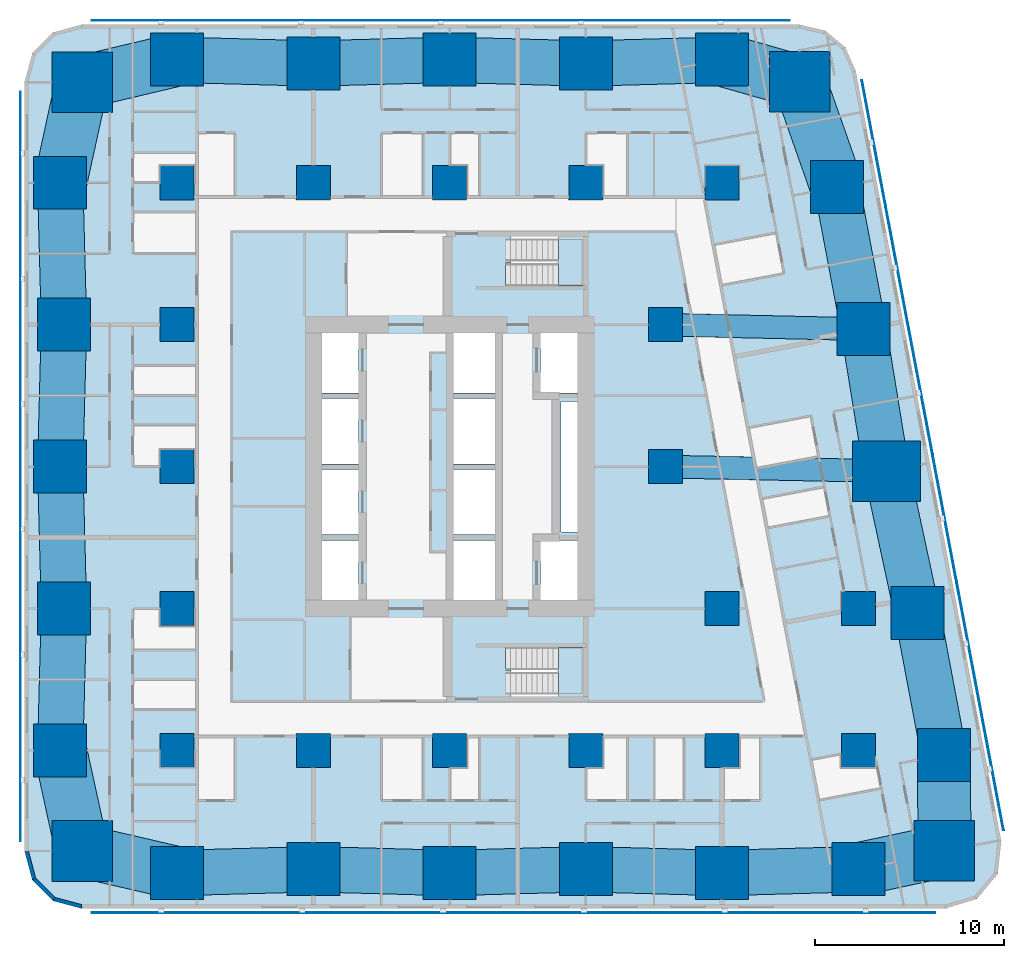
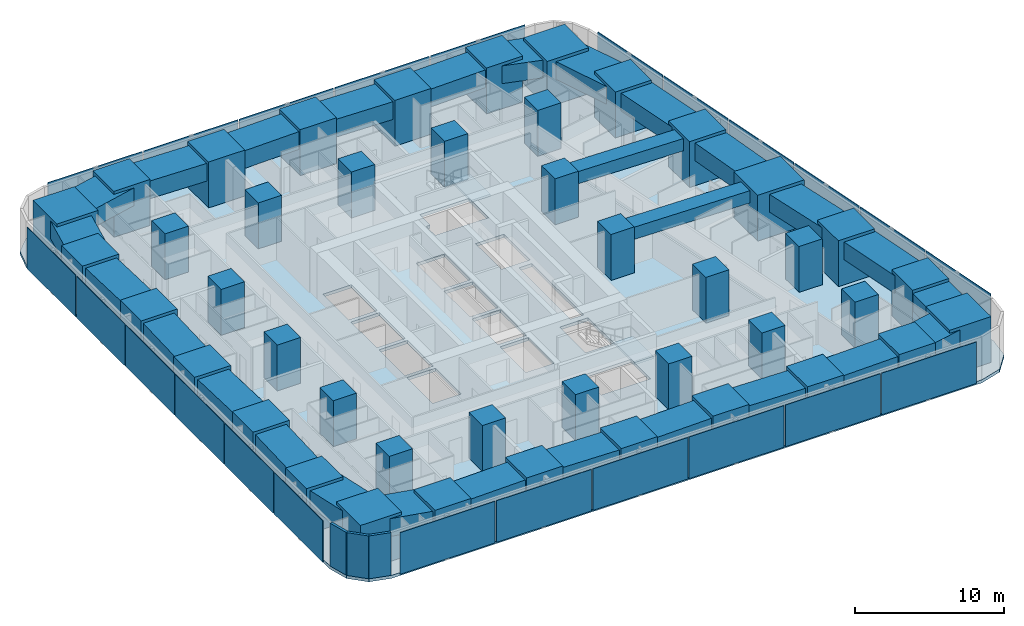
# One storey, part 1 of 18: 43 columns, 27 beams, 23 plates, 3 slabs, 3 walls, 2 elements without a shape of their own.
"""IFC4 building model written with IfcOpenShell, lengths in metres."""

from ifc_helpers import new_model, si_unit, direction, frame, frame_2d, origin, origin_2d, place, context, subcontext, project, spatial, polyline, rectangle, outline, extrude, material, layer, layer_set, material_profile, profile_set, type_object, element, aggregate, save


model = new_model("IFC4")

# Units and contexts
model_context = context("Model", 3, precision=1e-05, world=origin(), true_north=direction((0.0, 1.0)))
body_context = subcontext(model_context, "Body", "Model", "MODEL_VIEW")
ifc_project = project(units=[si_unit("LENGTHUNIT", "METRE"), si_unit("AREAUNIT", "SQUARE_METRE"), si_unit("VOLUMEUNIT", "CUBIC_METRE"), si_unit("PLANEANGLEUNIT", "RADIAN"), si_unit("MASSUNIT", "GRAM", prefix="KILO")], contexts=[model_context])

# Site, building, storey
site_placement = place(None, origin())
site = spatial("IfcSite", under=ifc_project, at=site_placement, CompositionType="ELEMENT")
building_placement = place(site_placement, origin())
building = spatial("IfcBuilding", under=site, at=building_placement, Name="Sheger Commons Tower", CompositionType="ELEMENT")
storey_placement = place(building_placement, frame((0.0, 0.0, 35.0)))
storey = spatial("IfcBuildingStorey", under=building, at=storey_placement, Name="L08", CompositionType="ELEMENT", Elevation=35.0)

# Columns
ifc_material_1 = material(Name="Concrete C50/60", Category="concrete")
ifc_material_profile_1 = material_profile(ifc_material_1, rectangle(XDim=3.60009765625, YDim=3.199951171875, at=origin_2d()), Name="RC 3600x3200")
ifc_profile_set_1 = profile_set([ifc_material_profile_1], Name="Concrete C50/60")
column_type_1 = type_object("IfcColumnType", Name="COLUMN PIER RC 3600x3200", PredefinedType="COLUMN", material=ifc_profile_set_1)
column_placement = place(storey_placement, frame((44.697021484375, 22.262939453125, 0.0), z_axis=(0.0, 0.0, 1.0), x_axis=(1.0, 0.0, 0.0)))
element("IfcColumn", 1, at=column_placement, inside=storey, type_object=column_type_1, Name="Pier 7/D+E/D L08", PredefinedType="COLUMN", context=body_context, shape_type="SweptSolid", body=[
    extrude(rectangle(XDim=3.60009765625, YDim=3.199951171875, at=origin_2d()), origin(), (0.0, 0.0, 1.0), 3.75),
])
ifc_material_2 = material(Name="Concrete C50/60", Category="concrete")
ifc_material_profile_2 = material_profile(ifc_material_2, rectangle(XDim=1.800048828125, YDim=1.800048828125, at=origin_2d()), Name="RC 1800x1800")
ifc_profile_set_2 = profile_set([ifc_material_profile_2], Name="Concrete C50/60")
column_type_2 = type_object("IfcColumnType", Name="COLUMN RC 1800x1800", PredefinedType="COLUMN", material=ifc_profile_set_2)
for number, where, z_axis, x_axis, name in (
    (2, (7.199951171875, 7.5, 0.0), (0.0, 0.0, 1.0), (1.0, 0.0, 0.0), "Column 2/B L08"),
    (3, (14.39990234375, 7.5, 0.0), (0.0, 0.0, 1.0), (1.0, 0.0, 0.0), "Column 3/B L08"),
    (4, (21.60009765625, 7.5, 0.0), (0.0, 0.0, 1.0), (1.0, 0.0, 0.0), "Column 4/B L08"),
    (5, (28.800048828125, 7.5, 0.0), (0.0, 0.0, 1.0), (1.0, 0.0, 0.0), "Column 5/B L08"),
    (6, (36.0, 7.5, 0.0), (0.0, 0.0, 1.0), (1.0, 0.0, 0.0), "Column 6/B L08"),
    (7, (43.199951171875, 7.5, 0.0), (0.0, 0.0, 1.0), (1.0, 0.0, 0.0), "Column 7/B L08"),
    (8, (7.199951171875, 15.0, 0.0), (0.0, 0.0, 1.0), (1.0, 0.0, 0.0), "Column 2/C L08"),
    (9, (36.0, 15.0, 0.0), (0.0, 0.0, 1.0), (1.0, 0.0, 0.0), "Column 6/C L08"),
    (10, (43.199951171875, 15.0, 0.0), (0.0, 0.0, 1.0), (1.0, 0.0, 0.0), "Column 7/C L08"),
    (11, (7.199951171875, 22.5, 0.0), (0.0, 0.0, 1.0), (1.0, 0.0, 0.0), "Column 2/D L08"),
    (12, (33.0, 22.5, 0.0), (0.0, 0.0, 1.0), (1.0, 0.0, 0.0), "Column 6-3000/D L08"),
    (13, (7.199951171875, 30.0, 0.0), (0.0, 0.0, 1.0), (1.0, 0.0, 0.0), "Column 2/E L08"),
    (14, (33.0, 30.0, 0.0), (0.0, 0.0, 1.0), (1.0, 0.0, 0.0), "Column 6-3000/E L08"),
    (15, (7.199951171875, 37.5, 0.0), (0.0, 0.0, 1.0), (1.0, 0.0, 0.0), "Column 2/F L08"),
    (16, (14.39990234375, 37.5, 0.0), (0.0, 0.0, 1.0), (1.0, 0.0, 0.0), "Column 3/F L08"),
    (17, (21.60009765625, 37.5, 0.0), (0.0, 0.0, 1.0), (1.0, 0.0, 0.0), "Column 4/F L08"),
    (18, (28.800048828125, 37.5, 0.0), (0.0, 0.0, 1.0), (1.0, 0.0, 0.0), "Column 5/F L08"),
    (19, (36.0, 37.5, 0.0), (0.0, 0.0, 1.0), (1.0, 0.0, 0.0), "Column 6/F L08"),
):
    element("IfcColumn", number, at=place(storey_placement, frame(where, z_axis=z_axis, x_axis=x_axis)), inside=storey, type_object=column_type_2, Name=name, PredefinedType="COLUMN", context=body_context, shape_type="SweptSolid", body=[
        extrude(rectangle(XDim=1.800048828125, YDim=1.800048828125, at=origin_2d()), origin(), (0.0, 0.0, 1.0), 3.75),
    ])
ifc_material_3 = material(Name="Concrete C50/60", Category="concrete")
ifc_material_profile_3 = material_profile(ifc_material_3, rectangle(XDim=2.800048828125, YDim=2.800048828125, at=origin_2d()), Name="RC 2800x2800")
ifc_profile_set_3 = profile_set([ifc_material_profile_3], Name="Concrete C50/60")
column_type_3 = type_object("IfcColumnType", Name="COLUMN RC 2800x2800", PredefinedType="COLUMN", material=ifc_profile_set_3)
for number, where, z_axis, x_axis, name in (
    (20, (7.199951171875, 1.02490234375, 0.0), (0.0, 0.0, 1.0), (1.0, 0.0, 0.0), "Column 2/A L08"),
    (21, (14.39990234375, 1.22509765625, 0.0), (0.0, 0.0, 1.0), (1.0, 0.0, 0.0), "Column 3/A L08"),
    (22, (21.60009765625, 1.02490234375, 0.0), (0.0, 0.0, 1.0), (1.0, 0.0, 0.0), "Column 4/A L08"),
    (23, (28.800048828125, 1.22509765625, 0.0), (0.0, 0.0, 1.0), (1.0, 0.0, 0.0), "Column 5/A L08"),
    (24, (36.0, 1.02490234375, 0.0), (0.0, 0.0, 1.0), (1.0, 0.0, 0.0), "Column 6/A L08"),
    (25, (43.199951171875, 1.22509765625, 0.0), (0.0, 0.0, 1.0), (1.0, 0.0, 0.0), "Column 7/A L08"),
    (26, (1.02490234375, 7.5, 0.0), (0.0, 0.0, 1.0), (1.0, 0.0, 0.0), "Column 1/B L08"),
    (27, (47.72998046875, 7.262939453125, 0.0), (0.0, 0.0, 1.0), (1.0, 0.0, 0.0), "Column E/B L08"),
    (28, (1.22509765625, 15.0, 0.0), (0.0, 0.0, 1.0), (1.0, 0.0, 0.0), "Column 1/C L08"),
    (29, (46.31396484375, 14.762939453125, 0.0), (0.0, 0.0, 1.0), (1.0, 0.0, 0.0), "Column E/C L08"),
    (30, (1.02490234375, 22.5, 0.0), (0.0, 0.0, 1.0), (1.0, 0.0, 0.0), "Column 1/D L08"),
    (31, (1.22509765625, 30.0, 0.0), (0.0, 0.0, 1.0), (1.0, 0.0, 0.0), "Column 1/E L08"),
    (32, (43.47998046875, 29.762939453125, 0.0), (0.0, 0.0, 1.0), (1.0, 0.0, 0.0), "Column E/E L08"),
    (33, (1.02490234375, 37.5, 0.0), (0.0, 0.0, 1.0), (1.0, 0.0, 0.0), "Column 1/F L08"),
    (34, (42.06396484375, 37.262939453125, 0.0), (0.0, 0.0, 1.0), (1.0, 0.0, 0.0), "Column E/F L08"),
    (35, (7.199951171875, 44.0, 0.0), (0.0, 0.0, 1.0), (1.0, 0.0, 0.0), "Column 2/G L08"),
    (36, (14.39990234375, 43.800048828125, 0.0), (0.0, 0.0, 1.0), (1.0, 0.0, 0.0), "Column 3/G L08"),
    (37, (21.60009765625, 44.0, 0.0), (0.0, 0.0, 1.0), (1.0, 0.0, 0.0), "Column 4/G L08"),
    (38, (28.800048828125, 43.800048828125, 0.0), (0.0, 0.0, 1.0), (1.0, 0.0, 0.0), "Column 5/G L08"),
    (39, (36.0, 44.0, 0.0), (0.0, 0.0, 1.0), (1.0, 0.0, 0.0), "Column 6/G L08"),
):
    element("IfcColumn", number, at=place(storey_placement, frame(where, z_axis=z_axis, x_axis=x_axis)), inside=storey, type_object=column_type_3, Name=name, PredefinedType="COLUMN", context=body_context, shape_type="SweptSolid", body=[
        extrude(rectangle(XDim=2.800048828125, YDim=2.800048828125, at=origin_2d()), origin(), (0.0, 0.0, 1.0), 3.75),
    ])
ifc_material_4 = material(Name="Concrete C50/60", Category="concrete")
ifc_material_profile_4 = material_profile(ifc_material_4, rectangle(XDim=3.199951171875, YDim=3.199951171875, at=origin_2d()), Name="RC 3200x3200")
ifc_profile_set_4 = profile_set([ifc_material_profile_4], Name="Concrete C50/60")
column_type_4 = type_object("IfcColumnType", Name="COLUMN RC 3200x3200", PredefinedType="COLUMN", material=ifc_profile_set_4)
for number, where, z_axis, x_axis, name in (
    (40, (2.18603515625, 2.18603515625, 0.0), (0.0, 0.0, 1.0), (1.0, 0.0, 0.0), "Column 0.630,0.630 L08"),
    (41, (47.748046875, 2.197021484375, 0.0), (0.0, 0.0, 1.0), (1.0, 0.0, 0.0), "Column 49.461,0.778 L08"),
    (42, (2.18603515625, 42.81396484375, 0.0), (0.0, 0.0, 1.0), (1.0, 0.0, 0.0), "Column 0.630,44.370 L08"),
    (43, (40.10205078125, 42.830078125, 0.0), (0.0, 0.0, 1.0), (1.0, 0.0, 0.0), "Column 41.490,44.505 L08"),
):
    element("IfcColumn", number, at=place(storey_placement, frame(where, z_axis=z_axis, x_axis=x_axis)), inside=storey, type_object=column_type_4, Name=name, PredefinedType="COLUMN", context=body_context, shape_type="SweptSolid", body=[
        extrude(rectangle(XDim=3.199951171875, YDim=3.199951171875, at=origin_2d()), origin(), (0.0, 0.0, 1.0), 3.75),
    ])

# Beams
ifc_material_5 = material(Name="Concrete C50/60", Category="concrete")
ifc_material_profile_5 = material_profile(ifc_material_5, rectangle(XDim=1.199951171875, YDim=1.0, at=origin_2d()), Name="RC 1200x1000")
ifc_profile_set_5 = profile_set([ifc_material_profile_5], Name="Concrete C50/60")
beam_type_1 = type_object("IfcBeamType", Name="BEAM RC 1200x1000", PredefinedType="BEAM", material=ifc_profile_set_5)
beam_1_placement = place(storey_placement, frame((33.0, 22.5, 3.0), z_axis=(0.999794692776, -0.02026258368, 0.0), x_axis=(0.02026258368, 0.999794692776, 0.0)))
element("IfcBeam", 44, at=beam_1_placement, inside=storey, type_object=beam_type_1, Name="Beam 6-3000/D-7/D under L09", PredefinedType="BEAM", context=body_context, shape_type="SweptSolid", body=[
    extrude(rectangle(XDim=1.199951171875, YDim=1.0, at=origin_2d()), origin(), (0.0, 0.0, 1.0), 11.699462890625),
])
beam_2_placement = place(storey_placement, frame((33.0, 30.0, 3.0), z_axis=(0.999744258625, -0.022614538395, 0.0), x_axis=(0.022614538395, 0.999744258625, 0.0)))
element("IfcBeam", 45, at=beam_2_placement, inside=storey, type_object=beam_type_1, Name="Beam 6-3000/E-E/E under L09", PredefinedType="BEAM", context=body_context, shape_type="SweptSolid", body=[
    extrude(rectangle(XDim=1.199951171875, YDim=1.0, at=origin_2d()), origin(), (0.0, 0.0, 1.0), 10.482666015625),
])
ifc_material_6 = material(Name="Concrete C50/60", Category="concrete")
ifc_material_profile_6 = material_profile(ifc_material_6, rectangle(XDim=2.39990234375, YDim=1.449951171875, at=origin_2d()), Name="RC 2400x1450")
ifc_profile_set_6 = profile_set([ifc_material_profile_6], Name="Concrete C50/60")
beam_type_2 = type_object("IfcBeamType", Name="SPANDREL RC 2400x1450", PredefinedType="SPANDREL", material=ifc_profile_set_6)
beam_3_placement = place(storey_placement, frame((7.199951171875, 1.02490234375, 2.77490234375), z_axis=(0.9996136624, 0.027794350926, 0.0), x_axis=(-0.027794350926, 0.9996136624, 0.0)))
element("IfcBeam", 46, at=beam_3_placement, inside=storey, type_object=beam_type_2, Name="Beam 2/A-3/A under L09", PredefinedType="SPANDREL", context=body_context, shape_type="SweptSolid", body=[
    extrude(rectangle(XDim=2.39990234375, YDim=1.449951171875, at=origin_2d()), origin(), (0.0, 0.0, 1.0), 7.20263671875),
])
beam_4_placement = place(storey_placement, frame((14.39990234375, 1.22509765625, 2.77490234375), z_axis=(0.999613688584, -0.027793409217, 0.0), x_axis=(0.027793409217, 0.999613688584, 0.0)))
element("IfcBeam", 47, at=beam_4_placement, inside=storey, type_object=beam_type_2, Name="Beam 3/A-4/A under L09", PredefinedType="SPANDREL", context=body_context, shape_type="SweptSolid", body=[
    extrude(rectangle(XDim=2.39990234375, YDim=1.449951171875, at=origin_2d()), origin(), (0.0, 0.0, 1.0), 7.202880859375),
])
for number, where, z_axis, x_axis, name in (
    (48, (21.60009765625, 1.02490234375, 2.77490234375), (0.9996136624, 0.027794350926, 0.0), (-0.027794350926, 0.9996136624, 0.0), "Beam 4/A-5/A under L09"),
    (49, (28.800048828125, 1.22509765625, 2.77490234375), (0.9996136624, -0.027794350926, 0.0), (0.027794350926, 0.9996136624, 0.0), "Beam 5/A-6/A under L09"),
    (50, (36.0, 1.02490234375, 2.77490234375), (0.9996136624, 0.027794350926, 0.0), (-0.027794350926, 0.9996136624, 0.0), "Beam 6/A-7/A under L09"),
):
    element("IfcBeam", number, at=place(storey_placement, frame(where, z_axis=z_axis, x_axis=x_axis)), inside=storey, type_object=beam_type_2, Name=name, PredefinedType="SPANDREL", context=body_context, shape_type="SweptSolid", body=[
        extrude(rectangle(XDim=2.39990234375, YDim=1.449951171875, at=origin_2d()), origin(), (0.0, 0.0, 1.0), 7.20263671875),
    ])
beam_5_placement = place(storey_placement, frame((47.72998046875, 7.262939453125, 2.77490234375), z_axis=(-0.18552441405, 0.982639655108, 0.0), x_axis=(-0.982639655108, -0.18552441405, 0.0)))
element("IfcBeam", 51, at=beam_5_placement, inside=storey, type_object=beam_type_2, Name="Beam E/B-E/C under L09", PredefinedType="SPANDREL", context=body_context, shape_type="SweptSolid", body=[
    extrude(rectangle(XDim=2.39990234375, YDim=1.449951171875, at=origin_2d()), origin(), (0.0, 0.0, 1.0), 7.632568359375),
])
beam_6_placement = place(storey_placement, frame((46.31396484375, 14.762939453125, 2.77490234375), z_axis=(-0.210750229323, 0.977539943348, 0.0), x_axis=(-0.977539943348, -0.210750229323, 0.0)))
element("IfcBeam", 52, at=beam_6_placement, inside=storey, type_object=beam_type_2, Name="Beam E/C-E/D under L09", PredefinedType="SPANDREL", context=body_context, shape_type="SweptSolid", body=[
    extrude(rectangle(XDim=2.39990234375, YDim=1.449951171875, at=origin_2d()), origin(), (0.0, 0.0, 1.0), 7.67236328125),
])
beam_7_placement = place(storey_placement, frame((44.697021484375, 22.262939453125, 2.77490234375), z_axis=(-0.160176929512, 0.987088319884, 0.0), x_axis=(-0.987088319884, -0.160176929512, 0.0)))
element("IfcBeam", 53, at=beam_7_placement, inside=storey, type_object=beam_type_2, Name="Beam E/D-E/E under L09", PredefinedType="SPANDREL", context=body_context, shape_type="SweptSolid", body=[
    extrude(rectangle(XDim=2.39990234375, YDim=1.449951171875, at=origin_2d()), origin(), (0.0, 0.0, 1.0), 7.59814453125),
])
beam_8_placement = place(storey_placement, frame((43.47998046875, 29.762939453125, 2.77490234375), z_axis=(-0.18552441405, 0.982639655108, 0.0), x_axis=(-0.982639655108, -0.18552441405, 0.0)))
element("IfcBeam", 54, at=beam_8_placement, inside=storey, type_object=beam_type_2, Name="Beam E/E-E/F under L09", PredefinedType="SPANDREL", context=body_context, shape_type="SweptSolid", body=[
    extrude(rectangle(XDim=2.39990234375, YDim=1.449951171875, at=origin_2d()), origin(), (0.0, 0.0, 1.0), 7.632568359375),
])
for number, where, z_axis, x_axis, name in (
    (55, (36.0, 44.0, 2.77490234375), (-0.999614603568, -0.027760481514, 0.0), (0.027760481514, -0.999614603568, 0.0), "Beam 6/G-5/G under L09"),
    (56, (28.800048828125, 43.800048828125, 2.77490234375), (-0.999614603568, 0.027760481514, 0.0), (-0.027760481514, -0.999614603568, 0.0), "Beam 5/G-4/G under L09"),
):
    element("IfcBeam", number, at=place(storey_placement, frame(where, z_axis=z_axis, x_axis=x_axis)), inside=storey, type_object=beam_type_2, Name=name, PredefinedType="SPANDREL", context=body_context, shape_type="SweptSolid", body=[
        extrude(rectangle(XDim=2.39990234375, YDim=1.449951171875, at=origin_2d()), origin(), (0.0, 0.0, 1.0), 7.20263671875),
    ])
beam_9_placement = place(storey_placement, frame((21.60009765625, 44.0, 2.77490234375), z_axis=(-0.999614629688, -0.027759540951, 0.0), x_axis=(0.027759540951, -0.999614629688, 0.0)))
element("IfcBeam", 57, at=beam_9_placement, inside=storey, type_object=beam_type_2, Name="Beam 4/G-3/G under L09", PredefinedType="SPANDREL", context=body_context, shape_type="SweptSolid", body=[
    extrude(rectangle(XDim=2.39990234375, YDim=1.449951171875, at=origin_2d()), origin(), (0.0, 0.0, 1.0), 7.202880859375),
])
beam_10_placement = place(storey_placement, frame((14.39990234375, 43.800048828125, 2.77490234375), z_axis=(-0.999614603568, 0.027760481514, 0.0), x_axis=(-0.027760481514, -0.999614603568, 0.0)))
element("IfcBeam", 58, at=beam_10_placement, inside=storey, type_object=beam_type_2, Name="Beam 3/G-2/G under L09", PredefinedType="SPANDREL", context=body_context, shape_type="SweptSolid", body=[
    extrude(rectangle(XDim=2.39990234375, YDim=1.449951171875, at=origin_2d()), origin(), (0.0, 0.0, 1.0), 7.20263671875),
])
for number, where, z_axis, x_axis, name in (
    (59, (1.02490234375, 37.5, 2.77490234375), (0.026683204125, -0.999643939919, 0.0), (0.999643939919, 0.026683204125, 0.0), "Beam 1/F-1/E under L09"),
    (60, (1.22509765625, 30.0, 2.77490234375), (-0.026683204125, -0.999643939919, 0.0), (0.999643939919, -0.026683204125, 0.0), "Beam 1/E-1/D under L09"),
    (61, (1.02490234375, 22.5, 2.77490234375), (0.026683204125, -0.999643939919, 0.0), (0.999643939919, 0.026683204125, 0.0), "Beam 1/D-1/C under L09"),
    (62, (1.22509765625, 15.0, 2.77490234375), (-0.026683204125, -0.999643939919, 0.0), (0.999643939919, -0.026683204125, 0.0), "Beam 1/C-1/B under L09"),
):
    element("IfcBeam", number, at=place(storey_placement, frame(where, z_axis=z_axis, x_axis=x_axis)), inside=storey, type_object=beam_type_2, Name=name, PredefinedType="SPANDREL", context=body_context, shape_type="SweptSolid", body=[
        extrude(rectangle(XDim=2.39990234375, YDim=1.449951171875, at=origin_2d()), origin(), (0.0, 0.0, 1.0), 7.502685546875),
    ])
ifc_material_7 = material(Name="Concrete C50/60", Category="concrete")
ifc_material_profile_7 = material_profile(ifc_material_7, rectangle(XDim=2.800048828125, YDim=1.449951171875, at=origin_2d()), Name="RC 2800x1450")
ifc_profile_set_7 = profile_set([ifc_material_profile_7], Name="Concrete C50/60")
beam_type_3 = type_object("IfcBeamType", Name="SPANDREL RC 2800x1450", PredefinedType="SPANDREL", material=ifc_profile_set_7)
beam_11_placement = place(storey_placement, frame((2.18603515625, 2.18603515625, 2.77490234375), z_axis=(0.974217413499, -0.225611239159, 0.0), x_axis=(0.225611239159, 0.974217413499, 0.0)))
element("IfcBeam", 63, at=beam_11_placement, inside=storey, type_object=beam_type_3, Name="Beam 0.630,0.630-2/A under L09", PredefinedType="SPANDREL", context=body_context, shape_type="SweptSolid", body=[
    extrude(rectangle(XDim=2.800048828125, YDim=1.449951171875, at=origin_2d()), origin(), (0.0, 0.0, 1.0), 5.146728515625),
])
beam_12_placement = place(storey_placement, frame((43.199951171875, 1.22509765625, 2.77490234375), z_axis=(0.977919796671, 0.208980552394, 0.0), x_axis=(-0.208980552394, 0.977919796671, 0.0)))
element("IfcBeam", 64, at=beam_12_placement, inside=storey, type_object=beam_type_3, Name="Beam 7/A-49.461,0.778 under L09", PredefinedType="SPANDREL", context=body_context, shape_type="SweptSolid", body=[
    extrude(rectangle(XDim=2.800048828125, YDim=1.449951171875, at=origin_2d()), origin(), (0.0, 0.0, 1.0), 4.65087890625),
])
beam_13_placement = place(storey_placement, frame((47.748046875, 2.197021484375, 2.77490234375), z_axis=(-0.003566242382, 0.999993640937, 0.0), x_axis=(-0.999993640937, -0.003566242382, 0.0)))
element("IfcBeam", 65, at=beam_13_placement, inside=storey, type_object=beam_type_3, Name="Beam 49.461,0.778-E/B under L09", PredefinedType="SPANDREL", context=body_context, shape_type="SweptSolid", body=[
    extrude(rectangle(XDim=2.800048828125, YDim=1.449951171875, at=origin_2d()), origin(), (0.0, 0.0, 1.0), 5.06591796875),
])
beam_14_placement = place(storey_placement, frame((42.06396484375, 37.262939453125, 2.77490234375), z_axis=(-0.332374403357, 0.943147526102, 0.0), x_axis=(-0.943147526102, -0.332374403357, 0.0)))
element("IfcBeam", 66, at=beam_14_placement, inside=storey, type_object=beam_type_3, Name="Beam E/F-41.490,44.505 under L09", PredefinedType="SPANDREL", context=body_context, shape_type="SweptSolid", body=[
    extrude(rectangle(XDim=2.800048828125, YDim=1.449951171875, at=origin_2d()), origin(), (0.0, 0.0, 1.0), 5.90283203125),
])
beam_15_placement = place(storey_placement, frame((40.10205078125, 42.830078125, 2.77490234375), z_axis=(-0.961653428129, 0.274267541221, 0.0), x_axis=(-0.274267541221, -0.961653428129, 0.0)))
element("IfcBeam", 67, at=beam_15_placement, inside=storey, type_object=beam_type_3, Name="Beam 41.490,44.505-6/G under L09", PredefinedType="SPANDREL", context=body_context, shape_type="SweptSolid", body=[
    extrude(rectangle(XDim=2.800048828125, YDim=1.449951171875, at=origin_2d()), origin(), (0.0, 0.0, 1.0), 4.265625),
])
beam_16_placement = place(storey_placement, frame((7.199951171875, 44.0, 2.77490234375), z_axis=(-0.97314428949, -0.230195985701, 0.0), x_axis=(0.230195985701, -0.97314428949, 0.0)))
element("IfcBeam", 68, at=beam_16_placement, inside=storey, type_object=beam_type_3, Name="Beam 2/G-0.630,44.370 under L09", PredefinedType="SPANDREL", context=body_context, shape_type="SweptSolid", body=[
    extrude(rectangle(XDim=2.800048828125, YDim=1.449951171875, at=origin_2d()), origin(), (0.0, 0.0, 1.0), 5.15234375),
])
for number, where, z_axis, x_axis, name in (
    (69, (2.18603515625, 42.81396484375, 2.77490234375), (-0.213469314652, -0.976949769283, 0.0), (0.976949769283, -0.213469314652, 0.0), "Beam 0.630,44.370-1/F under L09"),
    (70, (1.02490234375, 7.5, 2.77490234375), (0.213469314652, -0.976949769283, 0.0), (0.976949769283, 0.213469314652, 0.0), "Beam 1/B-0.630,0.630 under L09"),
):
    element("IfcBeam", number, at=place(storey_placement, frame(where, z_axis=z_axis, x_axis=x_axis)), inside=storey, type_object=beam_type_3, Name=name, PredefinedType="SPANDREL", context=body_context, shape_type="SweptSolid", body=[
        extrude(rectangle(XDim=2.800048828125, YDim=1.449951171875, at=origin_2d()), origin(), (0.0, 0.0, 1.0), 5.439453125),
    ])

# Slab
ifc_material_8 = material(Name="Concrete C35/45", Category="concrete")
ifc_layer_1 = layer(ifc_material_8, 0.25)
ifc_layer_set_1 = layer_set([ifc_layer_1], Name="SLAB FLOOR 250")
slab_type_1 = type_object("IfcSlabType", Name="SLAB FLOOR 250", PredefinedType="FLOOR", material=ifc_layer_set_1)
slab_1_placement = place(storey_placement, frame((0.0, 0.0, -0.25)))
element("IfcSlab", 71, at=slab_1_placement, inside=storey, type_object=slab_type_1, Name="L08 floor slab", PredefinedType="FLOOR", context=body_context, shape_type="SweptSolid", body=[
    extrude(outline(polyline([(-0.85009765625, 2.14990234375), (-0.447998046875, 0.64990234375), (0.64990234375, -0.447998046875), (2.14990234375, -0.85009765625), (47.805908203125, -0.85009765625), (49.465087890625, -0.35009765625), (50.570068359375, 0.98388671875), (50.75390625, 2.70703125), (43.06591796875, 43.406982421875), (42.509033203125, 44.660888671875), (41.452880859375, 45.535888671875), (40.117919921875, 45.85009765625), (2.14990234375, 45.85009765625), (0.64990234375, 45.447998046875), (-0.447998046875, 44.35009765625), (-0.85009765625, 42.85009765625), (-0.85009765625, 2.14990234375)]), holes=[polyline([(24.85009765625, 10.35009765625), (28.64990234375, 10.35009765625), (28.64990234375, 12.949951171875), (24.551025390625, 12.949951171875), (24.551025390625, 11.75), (24.85009765625, 11.75), (24.85009765625, 10.35009765625)]), polyline([(24.551025390625, 32.050048828125), (28.64990234375, 32.050048828125), (28.64990234375, 34.64990234375), (24.85009765625, 34.64990234375), (24.85009765625, 33.25), (24.551025390625, 33.25), (24.551025390625, 32.050048828125)]), polyline([(26.39990234375, 15.14990234375), (28.60009765625, 15.14990234375), (28.60009765625, 18.60009765625), (26.39990234375, 18.60009765625), (26.39990234375, 15.14990234375)]), polyline([(26.39990234375, 26.39990234375), (28.60009765625, 26.39990234375), (28.60009765625, 29.85009765625), (26.39990234375, 29.85009765625), (26.39990234375, 26.39990234375)]), polyline([(14.60009765625, 15.14990234375), (16.800048828125, 15.14990234375), (16.800048828125, 18.60009765625), (14.60009765625, 18.60009765625), (14.60009765625, 15.14990234375)]), polyline([(14.60009765625, 18.89990234375), (16.800048828125, 18.89990234375), (16.800048828125, 22.35009765625), (14.60009765625, 22.35009765625), (14.60009765625, 18.89990234375)]), polyline([(14.60009765625, 22.64990234375), (16.800048828125, 22.64990234375), (16.800048828125, 26.10009765625), (14.60009765625, 26.10009765625), (14.60009765625, 22.64990234375)]), polyline([(14.60009765625, 26.39990234375), (16.800048828125, 26.39990234375), (16.800048828125, 29.85009765625), (14.60009765625, 29.85009765625), (14.60009765625, 26.39990234375)]), polyline([(21.800048828125, 15.14990234375), (24.0, 15.14990234375), (24.0, 18.60009765625), (21.800048828125, 18.60009765625), (21.800048828125, 15.14990234375)]), polyline([(21.800048828125, 18.89990234375), (24.0, 18.89990234375), (24.0, 22.35009765625), (21.800048828125, 22.35009765625), (21.800048828125, 18.89990234375)]), polyline([(21.800048828125, 22.64990234375), (24.0, 22.64990234375), (24.0, 26.10009765625), (21.800048828125, 26.10009765625), (21.800048828125, 22.64990234375)]), polyline([(21.800048828125, 26.39990234375), (24.0, 26.39990234375), (24.0, 29.85009765625), (21.800048828125, 29.85009765625), (21.800048828125, 26.39990234375)]), polyline([(27.5, 19.050048828125), (28.5, 19.050048828125), (28.5, 25.949951171875), (27.5, 25.949951171875), (27.5, 19.050048828125)])]), origin(), (0.0, 0.0, 1.0), 0.25),
])

# Plates
ifc_material_9 = material(Name="Perforated black anodised aluminium screen", Category="aluminium")
ifc_layer_2 = layer(ifc_material_9, 0.050048828125)
ifc_layer_set_2 = layer_set([ifc_layer_2], Name="SOLAR SCREEN SCREEN-1")
plate_type = type_object("IfcPlateType", Name="SOLAR SCREEN SCREEN-1", PredefinedType="USERDEFINED", material=ifc_layer_set_2)
for number, where, z_axis, x_axis, name in (
    (72, (6.37109375, -1.074951171875, 0.050048828125), (0.0, 0.0, 1.0), (1.0, 0.0, 0.0), "Perforated solar screen panel"),
    (73, (13.81396484375, -1.074951171875, 0.050048828125), (0.0, 0.0, 1.0), (1.0, 0.0, 0.0), "Perforated solar screen panel"),
    (74, (21.257080078125, -1.074951171875, 0.050048828125), (0.0, 0.0, 1.0), (1.0, 0.0, 0.0), "Perforated solar screen panel"),
    (75, (28.698974609375, -1.074951171875, 0.050048828125), (0.0, 0.0, 1.0), (1.0, 0.0, 0.0), "Perforated solar screen panel"),
    (76, (36.14208984375, -1.074951171875, 0.050048828125), (0.0, 0.0, 1.0), (1.0, 0.0, 0.0), "Perforated solar screen panel"),
    (77, (43.5849609375, -1.074951171875, 0.050048828125), (0.0, 0.0, 1.0), (1.0, 0.0, 0.0), "Perforated solar screen panel"),
):
    element("IfcPlate", number, at=place(storey_placement, frame(where, z_axis=z_axis, x_axis=x_axis)), inside=storey, type_object=plate_type, Name=name, ObjectType="SCREEN", PredefinedType="USERDEFINED", context=body_context, shape_type="SweptSolid", body=[
        extrude(rectangle(XDim=7.343017578125, YDim=0.050048828125, at=origin_2d()), origin(), (0.0, 0.0, 1.0), 3.39990234375),
    ])
for number, where, z_axis, x_axis, name in (
    (78, (50.257080078125, 6.550048828125, 0.050048828125), (0.0, 0.0, 1.0), (-0.185615165645, 0.982622516678, 0.0), "Perforated solar screen panel"),
    (79, (49.007080078125, 13.1689453125, 0.050048828125), (0.0, 0.0, 1.0), (-0.185615165645, 0.982622516678, 0.0), "Perforated solar screen panel"),
    (80, (47.756103515625, 19.7890625, 0.050048828125), (0.0, 0.0, 1.0), (-0.185615165645, 0.982622516678, 0.0), "Perforated solar screen panel"),
    (81, (46.506103515625, 26.408935546875, 0.050048828125), (0.0, 0.0, 1.0), (-0.185615165645, 0.982622516678, 0.0), "Perforated solar screen panel"),
    (82, (45.2548828125, 33.028076171875, 0.050048828125), (0.0, 0.0, 1.0), (-0.185615165645, 0.982622516678, 0.0), "Perforated solar screen panel"),
    (83, (44.0048828125, 39.64794921875, 0.050048828125), (0.0, 0.0, 1.0), (-0.185615165645, 0.982622516678, 0.0), "Perforated solar screen panel"),
):
    element("IfcPlate", number, at=place(storey_placement, frame(where, z_axis=z_axis, x_axis=x_axis)), inside=storey, type_object=plate_type, Name=name, ObjectType="SCREEN", PredefinedType="USERDEFINED", context=body_context, shape_type="SweptSolid", body=[
        extrude(rectangle(XDim=6.636962890625, YDim=0.050048828125, at=origin_2d()), origin(), (0.0, 0.0, 1.0), 3.39990234375),
    ])
for number, where, z_axis, x_axis, name in (
    (84, (35.9208984375, 46.074951171875, 0.050048828125), (0.0, 0.0, 1.0), (-1.0, 0.0, 0.0), "Perforated solar screen panel"),
    (85, (28.528076171875, 46.074951171875, 0.050048828125), (0.0, 0.0, 1.0), (-1.0, 0.0, 0.0), "Perforated solar screen panel"),
    (86, (21.134033203125, 46.074951171875, 0.050048828125), (0.0, 0.0, 1.0), (-1.0, 0.0, 0.0), "Perforated solar screen panel"),
    (87, (13.739990234375, 46.074951171875, 0.050048828125), (0.0, 0.0, 1.0), (-1.0, 0.0, 0.0), "Perforated solar screen panel"),
    (88, (6.346923828125, 46.074951171875, 0.050048828125), (0.0, 0.0, 1.0), (-1.0, 0.0, 0.0), "Perforated solar screen panel"),
):
    element("IfcPlate", number, at=place(storey_placement, frame(where, z_axis=z_axis, x_axis=x_axis)), inside=storey, type_object=plate_type, Name=name, ObjectType="SCREEN", PredefinedType="USERDEFINED", context=body_context, shape_type="SweptSolid", body=[
        extrude(rectangle(XDim=7.2939453125, YDim=0.050048828125, at=origin_2d()), origin(), (0.0, 0.0, 1.0), 3.39990234375),
    ])
for number, where, z_axis, x_axis, name in (
    (89, (-1.074951171875, 39.0419921875, 0.050048828125), (0.0, 0.0, 1.0), (0.0, -1.0, 0.0), "Perforated solar screen panel"),
    (90, (-1.074951171875, 32.425048828125, 0.050048828125), (0.0, 0.0, 1.0), (0.0, -1.0, 0.0), "Perforated solar screen panel"),
    (91, (-1.074951171875, 25.80810546875, 0.050048828125), (0.0, 0.0, 1.0), (0.0, -1.0, 0.0), "Perforated solar screen panel"),
    (92, (-1.074951171875, 19.19189453125, 0.050048828125), (0.0, 0.0, 1.0), (0.0, -1.0, 0.0), "Perforated solar screen panel"),
    (93, (-1.074951171875, 12.574951171875, 0.050048828125), (0.0, 0.0, 1.0), (0.0, -1.0, 0.0), "Perforated solar screen panel"),
    (94, (-1.074951171875, 5.9580078125, 0.050048828125), (0.0, 0.0, 1.0), (0.0, -1.0, 0.0), "Perforated solar screen panel"),
):
    element("IfcPlate", number, at=place(storey_placement, frame(where, z_axis=z_axis, x_axis=x_axis)), inside=storey, type_object=plate_type, Name=name, ObjectType="SCREEN", PredefinedType="USERDEFINED", context=body_context, shape_type="SweptSolid", body=[
        extrude(rectangle(XDim=6.51708984375, YDim=0.050048828125, at=origin_2d()), origin(), (0.0, 0.0, 1.0), 3.39990234375),
    ])

# Stair, slab
ifc_material_10 = material(Name="Concrete C35/45", Category="concrete")
stair_type = type_object("IfcStairType", Name="HALF-TURN STAIR 1200 RISE 3750", PredefinedType="HALF_TURN_STAIR", material=ifc_material_10)
stair_1_placement = place(storey_placement, origin())
stair_1 = element("IfcStair", 95, at=stair_1_placement, inside=storey, type_object=stair_type, Name="Stair S1 L08", PredefinedType="HALF_TURN_STAIR")
ifc_material_11 = material(Name="Concrete C35/45", Category="concrete")
ifc_layer_3 = layer(ifc_material_11, 0.199951171875)
ifc_layer_set_3 = layer_set([ifc_layer_3], Name="STAIR LANDING 200")
slab_type_2 = type_object("IfcSlabType", Name="STAIR LANDING 200", PredefinedType="LANDING", material=ifc_layer_set_3)
slab_2_placement = place(storey_placement, frame((0.0, 0.0, 1.675048828125)))
slab_2 = element("IfcSlab", 96, at=slab_2_placement, type_object=slab_type_2, Name="S1 landing 1", PredefinedType="LANDING", context=body_context, shape_type="SweptSolid", body=[
    extrude(outline(polyline([(27.35009765625, 10.199951171875), (28.800048828125, 10.199951171875), (28.800048828125, 12.949951171875), (27.35009765625, 12.949951171875), (27.35009765625, 10.199951171875)])), origin(), (0.0, 0.0, 1.0), 0.199951171875),
])
aggregate(stair_1, [slab_2])

stair_2_placement = place(storey_placement, origin())
stair_2 = element("IfcStair", 97, at=stair_2_placement, inside=storey, type_object=stair_type, Name="Stair S2 L08", PredefinedType="HALF_TURN_STAIR")
slab_3_placement = place(storey_placement, frame((0.0, 0.0, 1.675048828125)))
slab_3 = element("IfcSlab", 98, at=slab_3_placement, type_object=slab_type_2, Name="S2 landing 1", PredefinedType="LANDING", context=body_context, shape_type="SweptSolid", body=[
    extrude(outline(polyline([(27.35009765625, 32.050048828125), (28.800048828125, 32.050048828125), (28.800048828125, 34.800048828125), (27.35009765625, 34.800048828125), (27.35009765625, 32.050048828125)])), origin(), (0.0, 0.0, 1.0), 0.199951171875),
])
aggregate(stair_2, [slab_3])

# Walls
ifc_material_12 = material(Name="Rendered concrete block masonry, dark grey", Category="masonry")
ifc_layer_4 = layer(ifc_material_12, 0.199951171875)
ifc_layer_set_4 = layer_set([ifc_layer_4], Name="FACADE WALL 200")
wall_type = type_object("IfcWallType", Name="FACADE WALL 200", PredefinedType="SOLIDWALL", material=ifc_layer_set_4)
wall_1_placement = place(storey_placement, frame((-0.75, 2.1630859375, 0.0), z_axis=(0.0, 0.0, 1.0), x_axis=(0.259168954497, -0.965832000415, 0.0)))
element("IfcWall", 99, at=wall_1_placement, inside=storey, type_object=wall_type, Name="Facade wall L08", PredefinedType="SOLIDWALL", context=body_context, shape_type="SweptSolid", body=[
    extrude(rectangle(XDim=1.512939453125, YDim=0.199951171875, at=frame_2d((0.75634765625, 0.0))), origin(), (0.0, 0.0, 1.0), 3.5),
])
wall_2_placement = place(storey_placement, frame((-0.35791015625, 0.701904296875, 0.0), z_axis=(0.0, 0.0, 1.0), x_axis=(0.707106781187, -0.707106781187, 0.0)))
element("IfcWall", 100, at=wall_2_placement, inside=storey, type_object=wall_type, Name="Facade wall L08", PredefinedType="SOLIDWALL", context=body_context, shape_type="SweptSolid", body=[
    extrude(rectangle(XDim=1.498779296875, YDim=0.199951171875, at=frame_2d((0.74951171875, 0.0))), origin(), (0.0, 0.0, 1.0), 3.5),
])
wall_3_placement = place(storey_placement, frame((0.701904296875, -0.35791015625, 0.0), z_axis=(0.0, 0.0, 1.0), x_axis=(0.965832000415, -0.259168954497, 0.0)))
element("IfcWall", 101, at=wall_3_placement, inside=storey, type_object=wall_type, Name="Facade wall L08", PredefinedType="SOLIDWALL", context=body_context, shape_type="SweptSolid", body=[
    extrude(rectangle(XDim=1.512939453125, YDim=0.199951171875, at=frame_2d((0.75634765625, 0.0))), origin(), (0.0, 0.0, 1.0), 3.5),
])

save(model, "model.ifc")
